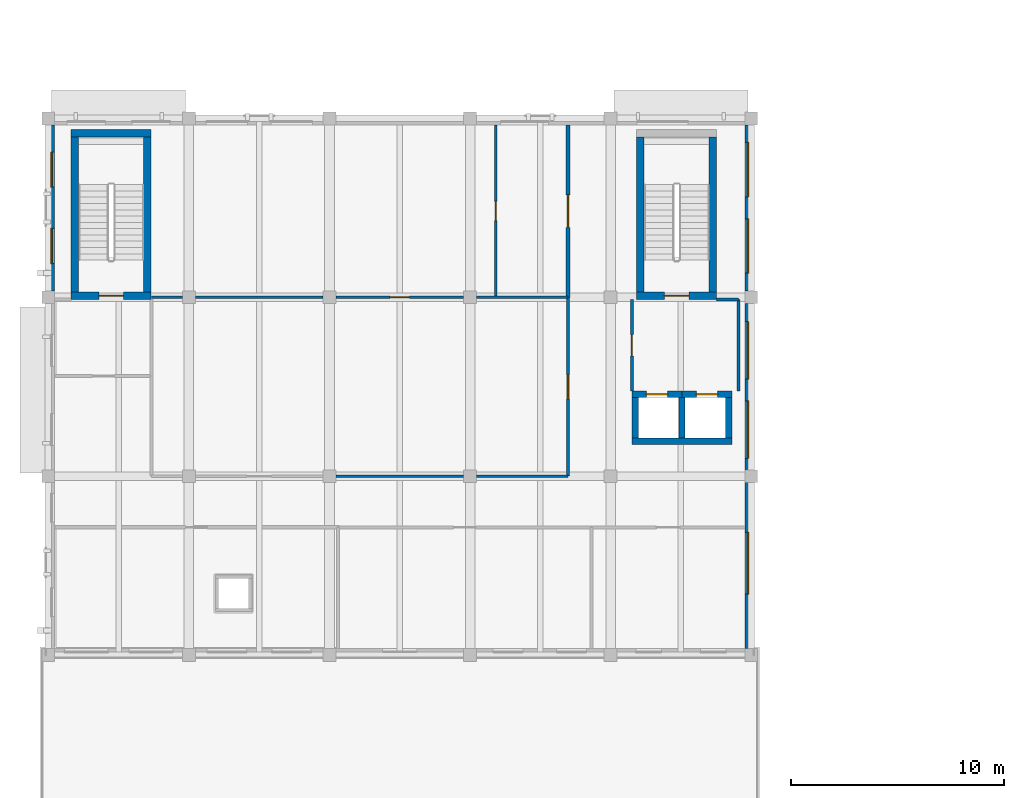
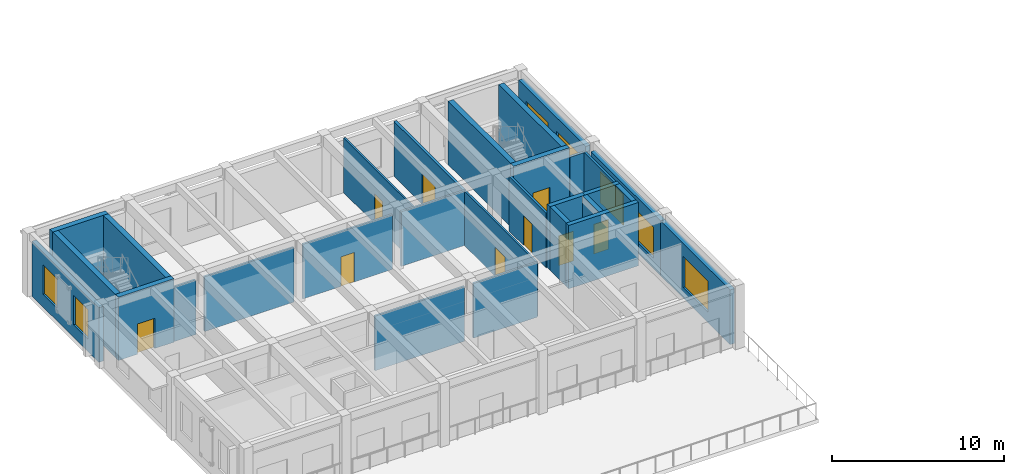
# One storey, part 7 of 25: 29 walls, 9 doors, 7 windows, 16 openings.
"""IFC4 building model written with IfcOpenShell, lengths in metres."""

from ifc_helpers import new_model, si_unit, direction, frame, frame_2d, origin, place, context, subcontext, project, spatial, rectangle, extrude, material, layer, layer_set, type_object, element, fill, save


model = new_model("IFC4")

# Units and contexts
model_context = context("Model", 3, precision=1e-05, world=origin(), true_north=direction((0.0, 1.0)))
body_context = subcontext(model_context, "Body", "Model", "MODEL_VIEW")
ifc_project = project(units=[si_unit("LENGTHUNIT", "METRE"), si_unit("AREAUNIT", "SQUARE_METRE"), si_unit("VOLUMEUNIT", "CUBIC_METRE"), si_unit("PLANEANGLEUNIT", "RADIAN"), si_unit("MASSUNIT", "GRAM", prefix="KILO")], contexts=[model_context])

# Site, building, storey
site_placement = place(None, origin())
site = spatial("IfcSite", under=ifc_project, at=site_placement, CompositionType="ELEMENT")
building_placement = place(site_placement, origin())
building = spatial("IfcBuilding", under=site, at=building_placement, Name="Kolvaren Faculty of Natural Sciences", CompositionType="ELEMENT")
storey_placement = place(building_placement, frame((0.0, 0.0, 19.5)))
storey = spatial("IfcBuildingStorey", under=building, at=storey_placement, Name="L04", CompositionType="ELEMENT", Elevation=19.5)

# Wall, opening, door
ifc_material_1 = material(Name="Concrete C40/50", Category="concrete")
ifc_layer_1 = layer(ifc_material_1, 0.35009765625)
ifc_layer_set_1 = layer_set([ifc_layer_1], Name="Concrete C40/50")
wall_type_1 = type_object("IfcWallType", Name="CoreShearWall_350", PredefinedType="SHEAR", material=ifc_layer_set_1)
wall_1_placement = place(storey_placement, frame((34.425048828125, 33.875, 0.0), z_axis=(0.0, 0.0, 1.0), x_axis=(1.0, 0.0, 0.0)))
wall_1 = element("IfcWall", 1, at=wall_1_placement, inside=storey, type_object=wall_type_1, Name="L04 CORE-C4 stair shear wall S", PredefinedType="SHEAR", context=body_context, shape_type="SweptSolid", body=[
    extrude(rectangle(XDim=3.75, YDim=0.35009765625, at=frame_2d((1.875, 0.0))), origin(), (0.0, 0.0, 1.0), 4.5),
])
opening_1_placement = place(wall_1_placement, frame((1.300048828125, 0.0, 0.0)))
opening_1 = element("IfcOpeningElement", 2, at=opening_1_placement, cuts=wall_1, Name="Opening FD90", PredefinedType="OPENING", context=body_context, shape_type="SweptSolid", body=[
    extrude(rectangle(XDim=1.14990234375, YDim=2.14990234375, at=frame_2d((0.574951171875, 1.074951171875))), frame((0.0, 0.18505859375, 0.0), z_axis=(0.0, -1.0, 0.0), x_axis=(1.0, 0.0, 0.0)), (0.0, 0.0, 1.0), 0.3701171875),
])
ifc_material_2 = material(Name="Fire-rated solid-core hardwood door leaf in steel frame", Category="steel")
door_type_1 = type_object("IfcDoorType", Name="StairCoreFireDoor_1150x2150", OperationType="NOTDEFINED", PredefinedType="DOOR", material=ifc_material_2)
door_1_placement = place(opening_1_placement, origin())
door_1 = element("IfcDoor", 3, at=door_1_placement, inside=storey, type_object=door_type_1, Name="D-ST-ST-4-L04", OperationType="SINGLE_SWING_RIGHT", OverallHeight=2.14990234375, OverallWidth=1.14990234375, PredefinedType="DOOR", context=body_context, shape_type="SweptSolid", body=[
    extrude(rectangle(XDim=1.14990234375, YDim=2.14990234375, at=frame_2d((0.574951171875, 1.074951171875))), frame((0.0, 0.02490234375, 0.0), z_axis=(0.0, -1.0, 0.0), x_axis=(1.0, 0.0, 0.0)), (0.0, 0.0, 1.0), 0.050048828125),
])
fill(opening_1, door_1)

# Walls
for number, where, z_axis, x_axis, name in (
    (4, (34.60009765625, 34.050048828125, 0.0), (0.0, 0.0, 1.0), (0.0, 1.0, 0.0), "L04 CORE-C4 stair shear wall W"),
    (5, (38.0, 34.050048828125, 0.0), (0.0, 0.0, 1.0), (0.0, 1.0, 0.0), "L04 CORE-C4 stair shear wall E"),
):
    element("IfcWall", number, at=place(storey_placement, frame(where, z_axis=z_axis, x_axis=x_axis)), inside=storey, type_object=wall_type_1, Name=name, PredefinedType="SHEAR", context=body_context, shape_type="SweptSolid", body=[
        extrude(rectangle(XDim=7.27490234375, YDim=0.35009765625, at=frame_2d((3.637451171875, 0.0))), origin(), (0.0, 0.0, 1.0), 4.5),
    ])

# Wall, opening, door
wall_2_placement = place(storey_placement, frame((7.875, 33.875, 0.0), z_axis=(0.0, 0.0, 1.0), x_axis=(1.0, 0.0, 0.0)))
wall_2 = element("IfcWall", 6, at=wall_2_placement, inside=storey, type_object=wall_type_1, Name="L04 CORE-C8 stair shear wall S", PredefinedType="SHEAR", context=body_context, shape_type="SweptSolid", body=[
    extrude(rectangle(XDim=3.75, YDim=0.35009765625, at=frame_2d((1.875, 0.0))), origin(), (0.0, 0.0, 1.0), 4.5),
])
opening_2_placement = place(wall_2_placement, frame((1.300048828125, 0.0, 0.0)))
opening_2 = element("IfcOpeningElement", 7, at=opening_2_placement, cuts=wall_2, Name="Opening FD90", PredefinedType="OPENING", context=body_context, shape_type="SweptSolid", body=[
    extrude(rectangle(XDim=1.14990234375, YDim=2.14990234375, at=frame_2d((0.574951171875, 1.074951171875))), frame((0.0, 0.18505859375, 0.0), z_axis=(0.0, -1.0, 0.0), x_axis=(1.0, 0.0, 0.0)), (0.0, 0.0, 1.0), 0.3701171875),
])
door_2_placement = place(opening_2_placement, origin())
door_2 = element("IfcDoor", 8, at=door_2_placement, inside=storey, type_object=door_type_1, Name="D-ST-ST-8-L04", OperationType="SINGLE_SWING_LEFT", OverallHeight=2.14990234375, OverallWidth=1.14990234375, PredefinedType="DOOR", context=body_context, shape_type="SweptSolid", body=[
    extrude(rectangle(XDim=1.14990234375, YDim=2.14990234375, at=frame_2d((0.574951171875, 1.074951171875))), frame((0.0, 0.02490234375, 0.0), z_axis=(0.0, -1.0, 0.0), x_axis=(1.0, 0.0, 0.0)), (0.0, 0.0, 1.0), 0.050048828125),
])
fill(opening_2, door_2)

# Walls
wall_3_placement = place(storey_placement, frame((7.875, 41.5, 0.0), z_axis=(0.0, 0.0, 1.0), x_axis=(1.0, 0.0, 0.0)))
element("IfcWall", 9, at=wall_3_placement, inside=storey, type_object=wall_type_1, Name="L04 CORE-C8 stair shear wall N", PredefinedType="SHEAR", context=body_context, shape_type="SweptSolid", body=[
    extrude(rectangle(XDim=3.75, YDim=0.35009765625, at=frame_2d((1.875, 0.0))), origin(), (0.0, 0.0, 1.0), 4.5),
])
for number, where, z_axis, x_axis, name in (
    (10, (8.050048828125, 34.050048828125, 0.0), (0.0, 0.0, 1.0), (0.0, 1.0, 0.0), "L04 CORE-C8 stair shear wall W"),
    (11, (11.449951171875, 34.050048828125, 0.0), (0.0, 0.0, 1.0), (0.0, 1.0, 0.0), "L04 CORE-C8 stair shear wall E"),
):
    element("IfcWall", number, at=place(storey_placement, frame(where, z_axis=z_axis, x_axis=x_axis)), inside=storey, type_object=wall_type_1, Name=name, PredefinedType="SHEAR", context=body_context, shape_type="SweptSolid", body=[
        extrude(rectangle(XDim=7.27490234375, YDim=0.35009765625, at=frame_2d((3.637451171875, 0.0))), origin(), (0.0, 0.0, 1.0), 4.5),
    ])

# Wall, openings, windows
ifc_material_3 = material(Name="Sandstone-faced insulated cavity masonry", Category="masonry")
ifc_layer_2 = layer(ifc_material_3, 0.300048828125)
ifc_layer_set_2 = layer_set([ifc_layer_2], Name="Sandstone-faced insulated cavity masonry")
wall_type_2 = type_object("IfcWallType", Name="ExteriorCavityWall_300", PredefinedType="STANDARD", material=ifc_layer_set_2)
wall_4_placement = place(storey_placement, frame((6.949951171875, 34.10009765625, 0.0), z_axis=(0.0, 0.0, 1.0), x_axis=(0.0, 1.0, 0.0)))
wall_4 = element("IfcWall", 12, at=wall_4_placement, inside=storey, type_object=wall_type_2, Name="L04 exterior masonry wall EW-300 (582)", PredefinedType="STANDARD", context=body_context, shape_type="SweptSolid", body=[
    extrude(rectangle(XDim=7.7998046875, YDim=0.300048828125, at=frame_2d((3.89990234375, 0.0))), origin(), (0.0, 0.0, 1.0), 3.885009765625),
])
opening_3_placement = place(wall_4_placement, frame((1.281005859375, 0.0, 0.89990234375)))
opening_3 = element("IfcOpeningElement", 13, at=opening_3_placement, cuts=wall_4, Name="Opening WIN-04", PredefinedType="OPENING", context=body_context, shape_type="SweptSolid", body=[
    extrude(rectangle(XDim=1.64990234375, YDim=2.10009765625, at=frame_2d((0.824951171875, 1.050048828125))), frame((0.0, 0.159912109375, 0.0), z_axis=(0.0, -1.0, 0.0), x_axis=(1.0, 0.0, 0.0)), (0.0, 0.0, 1.0), 0.320068359375),
])
opening_4_placement = place(wall_4_placement, frame((4.868896484375, 0.0, 0.89990234375)))
opening_4 = element("IfcOpeningElement", 14, at=opening_4_placement, cuts=wall_4, Name="Opening WIN-04", PredefinedType="OPENING", context=body_context, shape_type="SweptSolid", body=[
    extrude(rectangle(XDim=1.64990234375, YDim=2.10009765625, at=frame_2d((0.824951171875, 1.050048828125))), frame((0.0, 0.159912109375, 0.0), z_axis=(0.0, -1.0, 0.0), x_axis=(1.0, 0.0, 0.0)), (0.0, 0.0, 1.0), 0.320068359375),
])
ifc_material_4 = material(Name="Double low-E solar control insulated glazing", Category="glass")
window_type_1 = type_object("IfcWindowType", Name="AluWindow_WIN04_1650x2100", PartitioningType="SINGLE_PANEL", PredefinedType="WINDOW", material=ifc_material_4)
window_1_placement = place(opening_3_placement, origin())
window_1 = element("IfcWindow", 15, at=window_1_placement, inside=storey, type_object=window_type_1, Name="WIN-L04-0358", OverallHeight=2.10009765625, OverallWidth=1.64990234375, PartitioningType="SINGLE_PANEL", PredefinedType="WINDOW", context=body_context, shape_type="SweptSolid", body=[
    extrude(rectangle(XDim=1.64990234375, YDim=2.10009765625, at=frame_2d((0.824951171875, 1.050048828125))), frame((0.0, 0.030029296875, 0.0), z_axis=(0.0, -1.0, 0.0), x_axis=(1.0, 0.0, 0.0)), (0.0, 0.0, 1.0), 0.06005859375),
])
fill(opening_3, window_1)
window_2_placement = place(opening_4_placement, origin())
window_2 = element("IfcWindow", 16, at=window_2_placement, inside=storey, type_object=window_type_1, Name="WIN-L04-0359", OverallHeight=2.10009765625, OverallWidth=1.64990234375, PartitioningType="SINGLE_PANEL", PredefinedType="WINDOW", context=body_context, shape_type="SweptSolid", body=[
    extrude(rectangle(XDim=1.64990234375, YDim=2.10009765625, at=frame_2d((0.824951171875, 1.050048828125))), frame((0.0, 0.030029296875, 0.0), z_axis=(0.0, -1.0, 0.0), x_axis=(1.0, 0.0, 0.0)), (0.0, 0.0, 1.0), 0.06005859375),
])
fill(opening_4, window_2)

wall_5_placement = place(storey_placement, frame((39.64990234375, 41.89990234375, 0.0), z_axis=(0.0, 0.0, 1.0), x_axis=(0.0, -1.0, 0.0)))
wall_5 = element("IfcWall", 17, at=wall_5_placement, inside=storey, type_object=wall_type_2, Name="L04 exterior masonry wall EW-300 (588)", PredefinedType="STANDARD", context=body_context, shape_type="SweptSolid", body=[
    extrude(rectangle(XDim=7.7998046875, YDim=0.300048828125, at=frame_2d((3.89990234375, 0.0))), origin(), (0.0, 0.0, 1.0), 3.885009765625),
])
opening_5_placement = place(wall_5_placement, frame((0.8310546875, 0.0, 0.75)))
opening_5 = element("IfcOpeningElement", 18, at=opening_5_placement, cuts=wall_5, Name="Opening WIN-10", PredefinedType="OPENING", context=body_context, shape_type="SweptSolid", body=[
    extrude(rectangle(XDim=2.550048828125, YDim=2.14990234375, at=frame_2d((1.27490234375, 1.074951171875))), frame((0.0, 0.159912109375, 0.0), z_axis=(0.0, -1.0, 0.0), x_axis=(1.0, 0.0, 0.0)), (0.0, 0.0, 1.0), 0.320068359375),
])
opening_6_placement = place(wall_5_placement, frame((4.4189453125, 0.0, 0.75)))
opening_6 = element("IfcOpeningElement", 19, at=opening_6_placement, cuts=wall_5, Name="Opening WIN-10", PredefinedType="OPENING", context=body_context, shape_type="SweptSolid", body=[
    extrude(rectangle(XDim=2.550048828125, YDim=2.14990234375, at=frame_2d((1.27490234375, 1.074951171875))), frame((0.0, 0.159912109375, 0.0), z_axis=(0.0, -1.0, 0.0), x_axis=(1.0, 0.0, 0.0)), (0.0, 0.0, 1.0), 0.320068359375),
])
window_type_2 = type_object("IfcWindowType", Name="AluWindow_WIN10_2550x2150", PartitioningType="SINGLE_PANEL", PredefinedType="WINDOW", material=ifc_material_4)
window_3_placement = place(opening_5_placement, origin())
window_3 = element("IfcWindow", 20, at=window_3_placement, inside=storey, type_object=window_type_2, Name="WIN-L04-0366", OverallHeight=2.14990234375, OverallWidth=2.550048828125, PartitioningType="SINGLE_PANEL", PredefinedType="WINDOW", context=body_context, shape_type="SweptSolid", body=[
    extrude(rectangle(XDim=2.550048828125, YDim=2.14990234375, at=frame_2d((1.27490234375, 1.074951171875))), frame((0.0, 0.030029296875, 0.0), z_axis=(0.0, -1.0, 0.0), x_axis=(1.0, 0.0, 0.0)), (0.0, 0.0, 1.0), 0.06005859375),
])
fill(opening_5, window_3)
window_4_placement = place(opening_6_placement, origin())
window_4 = element("IfcWindow", 21, at=window_4_placement, inside=storey, type_object=window_type_2, Name="WIN-L04-0367", OverallHeight=2.14990234375, OverallWidth=2.550048828125, PartitioningType="SINGLE_PANEL", PredefinedType="WINDOW", context=body_context, shape_type="SweptSolid", body=[
    extrude(rectangle(XDim=2.550048828125, YDim=2.14990234375, at=frame_2d((1.27490234375, 1.074951171875))), frame((0.0, 0.030029296875, 0.0), z_axis=(0.0, -1.0, 0.0), x_axis=(1.0, 0.0, 0.0)), (0.0, 0.0, 1.0), 0.06005859375),
])
fill(opening_6, window_4)

wall_6_placement = place(storey_placement, frame((39.64990234375, 33.5, 0.0), z_axis=(0.0, 0.0, 1.0), x_axis=(0.0, -1.0, 0.0)))
wall_6 = element("IfcWall", 22, at=wall_6_placement, inside=storey, type_object=wall_type_2, Name="L04 exterior masonry wall EW-300 (589)", PredefinedType="STANDARD", context=body_context, shape_type="SweptSolid", body=[
    extrude(rectangle(XDim=8.10009765625, YDim=0.300048828125, at=frame_2d((4.050048828125, 0.0))), origin(), (0.0, 0.0, 1.0), 3.885009765625),
])
opening_7_placement = place(wall_6_placement, frame((0.8369140625, 0.0, 0.75)))
opening_7 = element("IfcOpeningElement", 23, at=opening_7_placement, cuts=wall_6, Name="Opening WIN-11", PredefinedType="OPENING", context=body_context, shape_type="SweptSolid", body=[
    extrude(rectangle(XDim=2.699951171875, YDim=2.199951171875, at=frame_2d((1.35009765625, 1.10009765625))), frame((0.0, 0.159912109375, 0.0), z_axis=(0.0, -1.0, 0.0), x_axis=(1.0, 0.0, 0.0)), (0.0, 0.0, 1.0), 0.320068359375),
])
opening_8_placement = place(wall_6_placement, frame((4.56298828125, 0.0, 0.75)))
opening_8 = element("IfcOpeningElement", 24, at=opening_8_placement, cuts=wall_6, Name="Opening WIN-11", PredefinedType="OPENING", context=body_context, shape_type="SweptSolid", body=[
    extrude(rectangle(XDim=2.699951171875, YDim=2.199951171875, at=frame_2d((1.35009765625, 1.10009765625))), frame((0.0, 0.159912109375, 0.0), z_axis=(0.0, -1.0, 0.0), x_axis=(1.0, 0.0, 0.0)), (0.0, 0.0, 1.0), 0.320068359375),
])
window_type_3 = type_object("IfcWindowType", Name="AluWindow_WIN11_2700x2200", PartitioningType="SINGLE_PANEL", PredefinedType="WINDOW", material=ifc_material_4)
window_5_placement = place(opening_7_placement, origin())
window_5 = element("IfcWindow", 25, at=window_5_placement, inside=storey, type_object=window_type_3, Name="WIN-L04-0368", OverallHeight=2.199951171875, OverallWidth=2.699951171875, PartitioningType="SINGLE_PANEL", PredefinedType="WINDOW", context=body_context, shape_type="SweptSolid", body=[
    extrude(rectangle(XDim=2.699951171875, YDim=2.199951171875, at=frame_2d((1.35009765625, 1.10009765625))), frame((0.0, 0.030029296875, 0.0), z_axis=(0.0, -1.0, 0.0), x_axis=(1.0, 0.0, 0.0)), (0.0, 0.0, 1.0), 0.06005859375),
])
fill(opening_7, window_5)
window_6_placement = place(opening_8_placement, origin())
window_6 = element("IfcWindow", 26, at=window_6_placement, inside=storey, type_object=window_type_3, Name="WIN-L04-0369", OverallHeight=2.199951171875, OverallWidth=2.699951171875, PartitioningType="SINGLE_PANEL", PredefinedType="WINDOW", context=body_context, shape_type="SweptSolid", body=[
    extrude(rectangle(XDim=2.699951171875, YDim=2.199951171875, at=frame_2d((1.35009765625, 1.10009765625))), frame((0.0, 0.030029296875, 0.0), z_axis=(0.0, -1.0, 0.0), x_axis=(1.0, 0.0, 0.0)), (0.0, 0.0, 1.0), 0.06005859375),
])
fill(opening_8, window_6)

# Wall, opening, window
wall_7_placement = place(storey_placement, frame((39.64990234375, 25.39990234375, 0.0), z_axis=(0.0, 0.0, 1.0), x_axis=(0.0, -1.0, 0.0)))
wall_7 = element("IfcWall", 27, at=wall_7_placement, inside=storey, type_object=wall_type_2, Name="L04 exterior masonry wall EW-300 (590)", PredefinedType="STANDARD", context=body_context, shape_type="SweptSolid", body=[
    extrude(rectangle(XDim=8.099853515625, YDim=0.300048828125, at=frame_2d((4.0498046875, 0.0))), origin(), (0.0, 0.0, 1.0), 3.885009765625),
])
opening_9_placement = place(wall_7_placement, frame((2.639892578125, 0.0, 0.75)))
opening_9 = element("IfcOpeningElement", 28, at=opening_9_placement, cuts=wall_7, Name="Opening WIN-12", PredefinedType="OPENING", context=body_context, shape_type="SweptSolid", body=[
    extrude(rectangle(XDim=2.89990234375, YDim=2.199951171875, at=frame_2d((1.449951171875, 1.10009765625))), frame((0.0, 0.159912109375, 0.0), z_axis=(0.0, -1.0, 0.0), x_axis=(1.0, 0.0, 0.0)), (0.0, 0.0, 1.0), 0.320068359375),
])
window_type_4 = type_object("IfcWindowType", Name="AluWindow_WIN12_2900x2200", PartitioningType="SINGLE_PANEL", PredefinedType="WINDOW", material=ifc_material_4)
window_7_placement = place(opening_9_placement, origin())
window_7 = element("IfcWindow", 29, at=window_7_placement, inside=storey, type_object=window_type_4, Name="WIN-L04-0370", OverallHeight=2.199951171875, OverallWidth=2.89990234375, PartitioningType="SINGLE_PANEL", PredefinedType="WINDOW", context=body_context, shape_type="SweptSolid", body=[
    extrude(rectangle(XDim=2.89990234375, YDim=2.199951171875, at=frame_2d((1.449951171875, 1.10009765625))), frame((0.0, 0.030029296875, 0.0), z_axis=(0.0, -1.0, 0.0), x_axis=(1.0, 0.0, 0.0)), (0.0, 0.0, 1.0), 0.06005859375),
])
fill(opening_9, window_7)

# Wall, opening, door
ifc_material_5 = material(Name="Acoustic mineral-wool insulated gypsum partition")
ifc_layer_3 = layer(ifc_material_5, 0.179931640625)
ifc_layer_set_3 = layer_set([ifc_layer_3], Name="Acoustic mineral-wool insulated gypsum partition")
wall_type_3 = type_object("IfcWallType", Name="LabPartitionWall_180", PredefinedType="PARTITIONING", material=ifc_layer_set_3)
wall_8_placement = place(storey_placement, frame((31.199951171875, 41.89794921875, 0.0), z_axis=(0.0, 0.0, 1.0), x_axis=(0.0, -1.0, 0.0)))
wall_8 = element("IfcWall", 30, at=wall_8_placement, inside=storey, type_object=wall_type_3, Name="L04 interior partition PW-180", PredefinedType="PARTITIONING", context=body_context, shape_type="SweptSolid", body=[
    extrude(rectangle(XDim=8.097900390625, YDim=0.179931640625, at=frame_2d((4.048828125, 0.0))), origin(), (0.0, 0.0, 1.0), 3.885009765625),
])
opening_10_placement = place(wall_8_placement, frame((3.2890625, 0.0, 0.0)))
opening_10 = element("IfcOpeningElement", 31, at=opening_10_placement, cuts=wall_8, Name="Opening ID-28", PredefinedType="OPENING", context=body_context, shape_type="SweptSolid", body=[
    extrude(rectangle(XDim=1.52001953125, YDim=2.139892578125, at=frame_2d((0.760009765625, 1.06982421875))), frame((0.0, 0.099853515625, 0.0), z_axis=(0.0, -1.0, 0.0), x_axis=(1.0, 0.0, 0.0)), (0.0, 0.0, 1.0), 0.199951171875),
])
ifc_material_6 = material(Name="Thermally broken anodised aluminium glazed door", Category="aluminium")
door_type_2 = type_object("IfcDoorType", Name="InteriorRoomDoor_1520x2140", OperationType="DOUBLE_DOOR_SINGLE_SWING", PredefinedType="DOOR", material=ifc_material_6)
door_3_placement = place(opening_10_placement, origin())
door_3 = element("IfcDoor", 32, at=door_3_placement, inside=storey, type_object=door_type_2, Name="D-L04-0297", OperationType="DOUBLE_DOOR_SINGLE_SWING", OverallHeight=2.139892578125, OverallWidth=1.52001953125, PredefinedType="DOOR", context=body_context, shape_type="SweptSolid", body=[
    extrude(rectangle(XDim=1.52001953125, YDim=2.139892578125, at=frame_2d((0.760009765625, 1.06982421875))), frame((0.0, 0.02490234375, 0.0), z_axis=(0.0, -1.0, 0.0), x_axis=(1.0, 0.0, 0.0)), (0.0, 0.0, 1.0), 0.050048828125),
])
fill(opening_10, door_3)

# Walls
ifc_layer_4 = layer(ifc_material_5, 0.1298828125)
ifc_layer_set_4 = layer_set([ifc_layer_4], Name="Acoustic mineral-wool insulated gypsum partition")
wall_type_4 = type_object("IfcWallType", Name="OfficePartitionWall_130", PredefinedType="PARTITIONING", material=ifc_layer_set_4)
wall_9_placement = place(storey_placement, frame((11.64990234375, 33.800048828125, 0.0), z_axis=(0.0, 0.0, 1.0), x_axis=(1.0, 0.0, 0.0)))
element("IfcWall", 33, at=wall_9_placement, inside=storey, type_object=wall_type_4, Name="L04 interior partition PW-130", PredefinedType="PARTITIONING", context=body_context, shape_type="SweptSolid", body=[
    extrude(rectangle(XDim=1.4501953125, YDim=0.1298828125, at=frame_2d((0.72509765625, 0.0))), origin(), (0.0, 0.0, 1.0), 3.885009765625),
])
wall_10_placement = place(storey_placement, frame((13.699951171875, 33.800048828125, 0.0), z_axis=(0.0, 0.0, 1.0), x_axis=(1.0, 0.0, 0.0)))
element("IfcWall", 34, at=wall_10_placement, inside=storey, type_object=wall_type_4, Name="L04 interior partition PW-130", PredefinedType="PARTITIONING", context=body_context, shape_type="SweptSolid", body=[
    extrude(rectangle(XDim=6.0, YDim=0.1298828125, at=frame_2d((3.0, 0.0))), origin(), (0.0, 0.0, 1.0), 3.885009765625),
])

# Wall, opening, door
wall_11_placement = place(storey_placement, frame((20.300048828125, 33.800048828125, 0.0), z_axis=(0.0, 0.0, 1.0), x_axis=(1.0, 0.0, 0.0)))
wall_11 = element("IfcWall", 35, at=wall_11_placement, inside=storey, type_object=wall_type_4, Name="L04 interior partition PW-130", PredefinedType="PARTITIONING", context=body_context, shape_type="SweptSolid", body=[
    extrude(rectangle(XDim=6.0, YDim=0.1298828125, at=frame_2d((3.0, 0.0))), origin(), (0.0, 0.0, 1.0), 3.885009765625),
])
opening_11_placement = place(wall_11_placement, frame((2.550048828125, 0.0, 0.0)))
opening_11 = element("IfcOpeningElement", 36, at=opening_11_placement, cuts=wall_11, Name="Opening ID-12", PredefinedType="OPENING", context=body_context, shape_type="SweptSolid", body=[
    extrude(rectangle(XDim=0.89990234375, YDim=2.10009765625, at=frame_2d((0.449951171875, 1.050048828125))), frame((0.0, 0.074951171875, 0.0), z_axis=(0.0, -1.0, 0.0), x_axis=(1.0, 0.0, 0.0)), (0.0, 0.0, 1.0), 0.14990234375),
])
ifc_material_7 = material(Name="Solid-core hardwood veneer door leaf in steel frame", Category="steel")
door_type_3 = type_object("IfcDoorType", Name="InteriorRoomDoor_900x2100", OperationType="NOTDEFINED", PredefinedType="DOOR", material=ifc_material_7)
door_4_placement = place(opening_11_placement, origin())
door_4 = element("IfcDoor", 37, at=door_4_placement, inside=storey, type_object=door_type_3, Name="D-L04-0278", OperationType="SINGLE_SWING_LEFT", OverallHeight=2.10009765625, OverallWidth=0.89990234375, PredefinedType="DOOR", context=body_context, shape_type="SweptSolid", body=[
    extrude(rectangle(XDim=0.89990234375, YDim=2.10009765625, at=frame_2d((0.449951171875, 1.050048828125))), frame((0.0, 0.02490234375, 0.0), z_axis=(0.0, -1.0, 0.0), x_axis=(1.0, 0.0, 0.0)), (0.0, 0.0, 1.0), 0.050048828125),
])
fill(opening_11, door_4)

# Wall
wall_12_placement = place(storey_placement, frame((26.89990234375, 33.800048828125, 0.0), z_axis=(0.0, 0.0, 1.0), x_axis=(1.0, 0.0, 0.0)))
element("IfcWall", 38, at=wall_12_placement, inside=storey, type_object=wall_type_4, Name="L04 interior partition PW-130", PredefinedType="PARTITIONING", context=body_context, shape_type="SweptSolid", body=[
    extrude(rectangle(XDim=4.300048828125, YDim=0.1298828125, at=frame_2d((2.14990234375, 0.0))), origin(), (0.0, 0.0, 1.0), 3.885009765625),
])

# Wall, opening, door
wall_13_placement = place(storey_placement, frame((31.199951171875, 33.800048828125, 0.0), z_axis=(0.0, 0.0, 1.0), x_axis=(0.0, -1.0, 0.0)))
wall_13 = element("IfcWall", 39, at=wall_13_placement, inside=storey, type_object=wall_type_4, Name="L04 interior partition PW-130", PredefinedType="PARTITIONING", context=body_context, shape_type="SweptSolid", body=[
    extrude(rectangle(XDim=8.400146484375, YDim=0.1298828125, at=frame_2d((4.2001953125, 0.0))), origin(), (0.0, 0.0, 1.0), 3.885009765625),
])
opening_12_placement = place(wall_13_placement, frame((3.6298828125, 0.0, 0.0)))
opening_12 = element("IfcOpeningElement", 40, at=opening_12_placement, cuts=wall_13, Name="Opening ID-11", PredefinedType="OPENING", context=body_context, shape_type="SweptSolid", body=[
    extrude(rectangle(XDim=1.139892578125, YDim=2.06005859375, at=frame_2d((0.56982421875, 1.030029296875))), frame((0.0, 0.074951171875, 0.0), z_axis=(0.0, -1.0, 0.0), x_axis=(1.0, 0.0, 0.0)), (0.0, 0.0, 1.0), 0.14990234375),
])
door_type_4 = type_object("IfcDoorType", Name="InteriorRoomDoor_1140x2060", OperationType="NOTDEFINED", PredefinedType="DOOR", material=ifc_material_7)
door_5_placement = place(opening_12_placement, origin())
door_5 = element("IfcDoor", 41, at=door_5_placement, inside=storey, type_object=door_type_4, Name="D-L04-0275", OperationType="SINGLE_SWING_RIGHT", OverallHeight=2.06005859375, OverallWidth=1.139892578125, PredefinedType="DOOR", context=body_context, shape_type="SweptSolid", body=[
    extrude(rectangle(XDim=1.139892578125, YDim=2.06005859375, at=frame_2d((0.56982421875, 1.030029296875))), frame((0.0, 0.02490234375, 0.0), z_axis=(0.0, -1.0, 0.0), x_axis=(1.0, 0.0, 0.0)), (0.0, 0.0, 1.0), 0.050048828125),
])
fill(opening_12, door_5)

# Walls
wall_14_placement = place(storey_placement, frame((31.199951171875, 25.39990234375, 0.0), z_axis=(0.0, 0.0, 1.0), x_axis=(-1.0, 0.0, 0.0)))
element("IfcWall", 42, at=wall_14_placement, inside=storey, type_object=wall_type_4, Name="L04 interior partition PW-130", PredefinedType="PARTITIONING", context=body_context, shape_type="SweptSolid", body=[
    extrude(rectangle(XDim=4.300048828125, YDim=0.1298828125, at=frame_2d((2.14990234375, 0.0))), origin(), (0.0, 0.0, 1.0), 3.885009765625),
])
wall_15_placement = place(storey_placement, frame((26.300048828125, 25.39990234375, 0.0), z_axis=(0.0, 0.0, 1.0), x_axis=(-1.0, 0.0, 0.0)))
element("IfcWall", 43, at=wall_15_placement, inside=storey, type_object=wall_type_4, Name="L04 interior partition PW-130", PredefinedType="PARTITIONING", context=body_context, shape_type="SweptSolid", body=[
    extrude(rectangle(XDim=6.0, YDim=0.1298828125, at=frame_2d((3.0, 0.0))), origin(), (0.0, 0.0, 1.0), 3.885009765625),
])
ifc_material_8 = material(Name="Double fire-rated gypsum board on 100 mm steel stud", Category="steel")
ifc_layer_5 = layer(ifc_material_8, 0.14990234375)
ifc_layer_set_5 = layer_set([ifc_layer_5], Name="Double fire-rated gypsum board on 100 mm steel stud")
wall_type_5 = type_object("IfcWallType", Name="RatedCorridorWall_150", PredefinedType="PARTITIONING", material=ifc_layer_set_5)
wall_16_placement = place(storey_placement, frame((38.175048828125, 33.699951171875, 0.0), z_axis=(0.0, 0.0, 1.0), x_axis=(1.0, 0.0, 0.0)))
element("IfcWall", 44, at=wall_16_placement, inside=storey, type_object=wall_type_5, Name="L04 interior partition LW-150", PredefinedType="PARTITIONING", context=body_context, shape_type="SweptSolid", body=[
    extrude(rectangle(XDim=1.02490234375, YDim=0.14990234375, at=frame_2d((0.512451171875, 0.0))), origin(), (0.0, 0.0, 1.0), 3.885009765625),
])
wall_17_placement = place(storey_placement, frame((39.199951171875, 33.699951171875, 0.0), z_axis=(0.0, 0.0, 1.0), x_axis=(0.0, -1.0, 0.0)))
element("IfcWall", 45, at=wall_17_placement, inside=storey, type_object=wall_type_5, Name="L04 interior partition LW-150", PredefinedType="PARTITIONING", context=body_context, shape_type="SweptSolid", body=[
    extrude(rectangle(XDim=4.300048828125, YDim=0.14990234375, at=frame_2d((2.14990234375, 0.0))), origin(), (0.0, 0.0, 1.0), 3.885009765625),
])

# Wall, opening, door
wall_18_placement = place(storey_placement, frame((34.199951171875, 29.402099609375, 0.0), z_axis=(0.0, 0.0, 1.0), x_axis=(0.0, 1.0, 0.0)))
wall_18 = element("IfcWall", 46, at=wall_18_placement, inside=storey, type_object=wall_type_5, Name="L04 interior partition LW-150", PredefinedType="PARTITIONING", context=body_context, shape_type="SweptSolid", body=[
    extrude(rectangle(XDim=4.2978515625, YDim=0.14990234375, at=frame_2d((2.14892578125, 0.0))), origin(), (0.0, 0.0, 1.0), 3.885009765625),
])
opening_13_placement = place(wall_18_placement, frame((1.64892578125, 0.0, 0.0)))
opening_13 = element("IfcOpeningElement", 47, at=opening_13_placement, cuts=wall_18, Name="Opening FD30", PredefinedType="OPENING", context=body_context, shape_type="SweptSolid", body=[
    extrude(rectangle(XDim=1.0, YDim=2.10009765625, at=frame_2d((0.5, 1.050048828125))), frame((0.0, 0.0849609375, 0.0), z_axis=(0.0, -1.0, 0.0), x_axis=(1.0, 0.0, 0.0)), (0.0, 0.0, 1.0), 0.169921875),
])
door_type_5 = type_object("IfcDoorType", Name="CorridorFireDoor_1000x2100", OperationType="NOTDEFINED", PredefinedType="DOOR", material=ifc_material_2)
door_6_placement = place(opening_13_placement, origin())
door_6 = element("IfcDoor", 48, at=door_6_placement, inside=storey, type_object=door_type_5, Name="D-L04-0267", OperationType="SINGLE_SWING_RIGHT", OverallHeight=2.10009765625, OverallWidth=1.0, PredefinedType="DOOR", context=body_context, shape_type="SweptSolid", body=[
    extrude(rectangle(XDim=1.0, YDim=2.10009765625, at=frame_2d((0.5, 1.050048828125))), frame((0.0, 0.02490234375, 0.0), z_axis=(0.0, -1.0, 0.0), x_axis=(1.0, 0.0, 0.0)), (0.0, 0.0, 1.0), 0.050048828125),
])
fill(opening_13, door_6)

# Wall
ifc_layer_6 = layer(ifc_material_1, 0.300048828125)
ifc_layer_set_6 = layer_set([ifc_layer_6], Name="Concrete C40/50")
wall_type_6 = type_object("IfcWallType", Name="ShaftShearWall_300", PredefinedType="SHEAR", material=ifc_layer_set_6)
wall_19_placement = place(storey_placement, frame((34.199951171875, 27.050048828125, 0.0), z_axis=(0.0, 0.0, 1.0), x_axis=(1.0, 0.0, 0.0)))
element("IfcWall", 49, at=wall_19_placement, inside=storey, type_object=wall_type_6, Name="L04 twin lift shaft wall S", PredefinedType="SHEAR", context=body_context, shape_type="SweptSolid", body=[
    extrude(rectangle(XDim=4.699951171875, YDim=0.300048828125, at=frame_2d((2.35009765625, 0.0))), origin(), (0.0, 0.0, 1.0), 4.5),
])

# Wall, opening, door
wall_20_placement = place(storey_placement, frame((34.199951171875, 29.25, 0.0), z_axis=(0.0, 0.0, 1.0), x_axis=(1.0, 0.0, 0.0)))
wall_20 = element("IfcWall", 50, at=wall_20_placement, inside=storey, type_object=wall_type_6, Name="L04 lift PL-2 shaft wall N", PredefinedType="SHEAR", context=body_context, shape_type="SweptSolid", body=[
    extrude(rectangle(XDim=2.35009765625, YDim=0.300048828125, at=frame_2d((1.175048828125, 0.0))), origin(), (0.0, 0.0, 1.0), 4.5),
])
opening_14_placement = place(wall_20_placement, frame((0.675048828125, 0.0, 0.0)))
opening_14 = element("IfcOpeningElement", 51, at=opening_14_placement, cuts=wall_20, Name="Opening LD-02", PredefinedType="OPENING", context=body_context, shape_type="SweptSolid", body=[
    extrude(rectangle(XDim=1.0, YDim=2.10009765625, at=frame_2d((0.5, 1.050048828125))), frame((0.0, 0.159912109375, 0.0), z_axis=(0.0, -1.0, 0.0), x_axis=(1.0, 0.0, 0.0)), (0.0, 0.0, 1.0), 0.320068359375),
])
ifc_material_9 = material(Name="Brushed stainless steel lift car and sliding door assembly", Category="steel")
door_type_6 = type_object("IfcDoorType", Name="LiftLandingSliding_1000x2100", OperationType="SLIDING_TO_LEFT", PredefinedType="DOOR", material=ifc_material_9)
door_7_placement = place(opening_14_placement, origin())
door_7 = element("IfcDoor", 52, at=door_7_placement, inside=storey, type_object=door_type_6, Name="D-LIFT-PL-2-L04", OperationType="SLIDING_TO_LEFT", OverallHeight=2.10009765625, OverallWidth=1.0, PredefinedType="DOOR", context=body_context, shape_type="SweptSolid", body=[
    extrude(rectangle(XDim=1.0, YDim=2.10009765625, at=frame_2d((0.5, 1.050048828125))), frame((0.0, 0.02490234375, 0.0), z_axis=(0.0, -1.0, 0.0), x_axis=(1.0, 0.0, 0.0)), (0.0, 0.0, 1.0), 0.050048828125),
])
fill(opening_14, door_7)

wall_21_placement = place(storey_placement, frame((36.550048828125, 29.25, 0.0), z_axis=(0.0, 0.0, 1.0), x_axis=(1.0, 0.0, 0.0)))
wall_21 = element("IfcWall", 53, at=wall_21_placement, inside=storey, type_object=wall_type_6, Name="L04 lift PL-4 shaft wall N", PredefinedType="SHEAR", context=body_context, shape_type="SweptSolid", body=[
    extrude(rectangle(XDim=2.349853515625, YDim=0.300048828125, at=frame_2d((1.1748046875, 0.0))), origin(), (0.0, 0.0, 1.0), 4.5),
])
opening_15_placement = place(wall_21_placement, frame((0.675048828125, 0.0, 0.0)))
opening_15 = element("IfcOpeningElement", 54, at=opening_15_placement, cuts=wall_21, Name="Opening LD-02", PredefinedType="OPENING", context=body_context, shape_type="SweptSolid", body=[
    extrude(rectangle(XDim=1.0, YDim=2.10009765625, at=frame_2d((0.5, 1.050048828125))), frame((0.0, 0.159912109375, 0.0), z_axis=(0.0, -1.0, 0.0), x_axis=(1.0, 0.0, 0.0)), (0.0, 0.0, 1.0), 0.320068359375),
])
door_8_placement = place(opening_15_placement, origin())
door_8 = element("IfcDoor", 55, at=door_8_placement, inside=storey, type_object=door_type_6, Name="D-LIFT-PL-4-L04", OperationType="SLIDING_TO_LEFT", OverallHeight=2.10009765625, OverallWidth=1.0, PredefinedType="DOOR", context=body_context, shape_type="SweptSolid", body=[
    extrude(rectangle(XDim=1.0, YDim=2.10009765625, at=frame_2d((0.5, 1.050048828125))), frame((0.0, 0.02490234375, 0.0), z_axis=(0.0, -1.0, 0.0), x_axis=(1.0, 0.0, 0.0)), (0.0, 0.0, 1.0), 0.050048828125),
])
fill(opening_15, door_8)

# Walls
for number, where, z_axis, x_axis, name in (
    (56, (34.35009765625, 27.199951171875, 0.0), (0.0, 0.0, 1.0), (0.0, 1.0, 0.0), "L04 lift PL-2 shaft wall W"),
    (57, (36.550048828125, 27.199951171875, 0.0), (0.0, 0.0, 1.0), (0.0, 1.0, 0.0), "L04 twin lift divider wall"),
    (58, (38.75, 27.199951171875, 0.0), (0.0, 0.0, 1.0), (0.0, 1.0, 0.0), "L04 lift PL-4 shaft wall E"),
):
    element("IfcWall", number, at=place(storey_placement, frame(where, z_axis=z_axis, x_axis=x_axis)), inside=storey, type_object=wall_type_6, Name=name, PredefinedType="SHEAR", context=body_context, shape_type="SweptSolid", body=[
        extrude(rectangle(XDim=1.900146484375, YDim=0.300048828125, at=frame_2d((0.9501953125, 0.0))), origin(), (0.0, 0.0, 1.0), 4.5),
    ])

# Wall, opening, door
ifc_layer_7 = layer(ifc_material_5, 0.1201171875)
ifc_layer_set_7 = layer_set([ifc_layer_7], Name="Acoustic mineral-wool insulated gypsum partition")
wall_type_7 = type_object("IfcWallType", Name="StudioPartitionWall_120", PredefinedType="PARTITIONING", material=ifc_layer_set_7)
wall_22_placement = place(storey_placement, frame((27.800048828125, 41.89794921875, 0.0), z_axis=(0.0, 0.0, 1.0), x_axis=(0.0, -1.0, 0.0)))
wall_22 = element("IfcWall", 59, at=wall_22_placement, inside=storey, type_object=wall_type_7, Name="L04 interior partition PW-120", PredefinedType="PARTITIONING", context=body_context, shape_type="SweptSolid", body=[
    extrude(rectangle(XDim=8.097900390625, YDim=0.1201171875, at=frame_2d((4.048828125, 0.0))), origin(), (0.0, 0.0, 1.0), 3.885009765625),
])
opening_16_placement = place(wall_22_placement, frame((3.59912109375, 0.0, 0.0)))
opening_16 = element("IfcOpeningElement", 60, at=opening_16_placement, cuts=wall_22, Name="Opening ID-12", PredefinedType="OPENING", context=body_context, shape_type="SweptSolid", body=[
    extrude(rectangle(XDim=0.89990234375, YDim=2.10009765625, at=frame_2d((0.449951171875, 1.050048828125))), frame((0.0, 0.070068359375, 0.0), z_axis=(0.0, -1.0, 0.0), x_axis=(1.0, 0.0, 0.0)), (0.0, 0.0, 1.0), 0.14013671875),
])
door_9_placement = place(opening_16_placement, origin())
door_9 = element("IfcDoor", 61, at=door_9_placement, inside=storey, type_object=door_type_3, Name="D-L04-0277", OperationType="SINGLE_SWING_RIGHT", OverallHeight=2.10009765625, OverallWidth=0.89990234375, PredefinedType="DOOR", context=body_context, shape_type="SweptSolid", body=[
    extrude(rectangle(XDim=0.89990234375, YDim=2.10009765625, at=frame_2d((0.449951171875, 1.050048828125))), frame((0.0, 0.02490234375, 0.0), z_axis=(0.0, -1.0, 0.0), x_axis=(1.0, 0.0, 0.0)), (0.0, 0.0, 1.0), 0.050048828125),
])
fill(opening_16, door_9)

save(model, "model.ifc")
